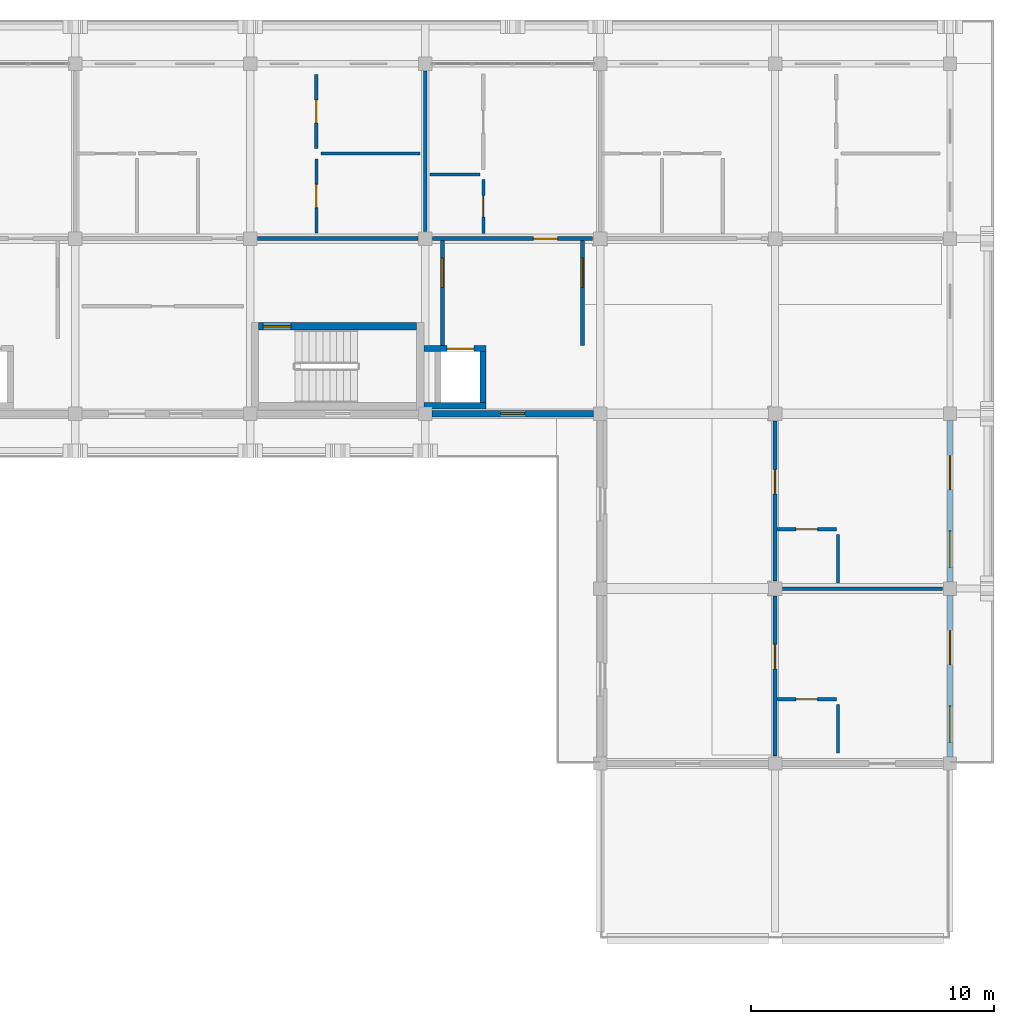
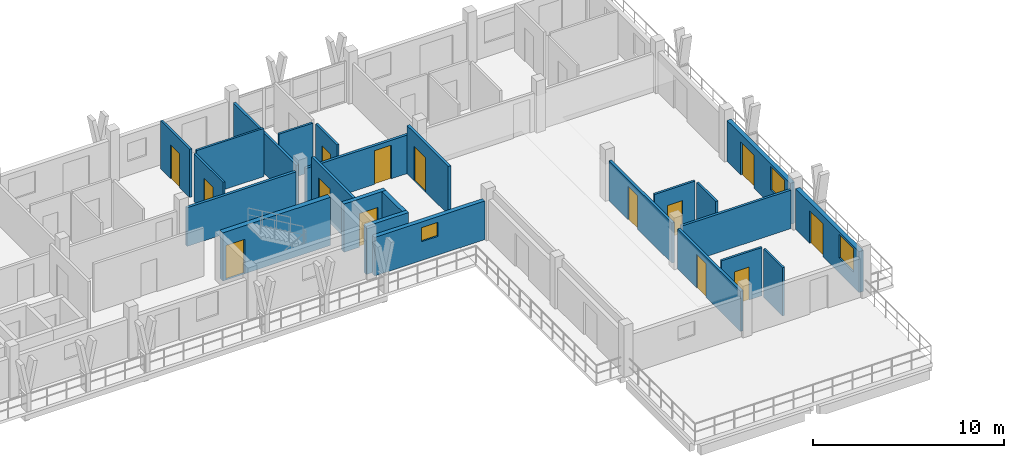
# One storey, part 46 of 60: 24 walls, 14 doors, 3 windows, 17 openings.
"""IFC4 building model written with IfcOpenShell, lengths in metres."""

from ifc_helpers import new_model, si_unit, direction, frame, frame_2d, origin, place, context, subcontext, project, spatial, rectangle, extrude, material, layer, layer_set, type_object, element, fill, save


model = new_model("IFC4")

# Units and contexts
model_context = context("Model", 3, precision=1e-05, world=origin(), true_north=direction((0.0, 1.0)))
body_context = subcontext(model_context, "Body", "Model", "MODEL_VIEW")
ifc_project = project(units=[si_unit("LENGTHUNIT", "METRE"), si_unit("AREAUNIT", "SQUARE_METRE"), si_unit("VOLUMEUNIT", "CUBIC_METRE"), si_unit("PLANEANGLEUNIT", "RADIAN"), si_unit("MASSUNIT", "GRAM", prefix="KILO")], contexts=[model_context])

# Site, building, storey
site_placement = place(None, origin())
site = spatial("IfcSite", under=ifc_project, at=site_placement, CompositionType="ELEMENT")
building_placement = place(site_placement, origin())
building = spatial("IfcBuilding", under=site, at=building_placement, Name="Suanplinth Sawtooth Commons", CompositionType="ELEMENT")
storey_placement = place(building_placement, frame((0.0, 0.0, 31.5)))
storey = spatial("IfcBuildingStorey", under=building, at=storey_placement, Name="L09", CompositionType="ELEMENT", Elevation=31.5)

# Wall, opening, door
ifc_material_1 = material(Name="Concrete C40/50", Category="concrete")
ifc_layer_1 = layer(ifc_material_1, 0.300048828125, Name="Standard RC stair and lift core wall 300mm")
ifc_layer_set_1 = layer_set([ifc_layer_1], Name="Concrete C40/50")
wall_type_1 = type_object("IfcWallType", Name="W-CR02", PredefinedType="SHEAR", material=ifc_layer_set_1)
wall_1_placement = place(storey_placement, frame((158.75, 111.60009765625, 0.0), z_axis=(0.0, 0.0, 1.0), x_axis=(1.0, 0.0, 0.0)))
wall_1 = element("IfcWall", 1, at=wall_1_placement, inside=storey, type_object=wall_type_1, Name="W-L09-C-B2-STN", PredefinedType="SHEAR", context=body_context, shape_type="SweptSolid", body=[
    extrude(rectangle(XDim=6.5, YDim=0.300048828125, at=frame_2d((3.25, 0.0))), origin(), (0.0, 0.0, 1.0), 3.080078125),
])
opening_1_placement = place(wall_1_placement, frame((0.179931640625, 0.0, 0.0)))
opening_1 = element("IfcOpeningElement", 2, at=opening_1_placement, cuts=wall_1, Name="Opening FD0260", PredefinedType="OPENING", context=body_context, shape_type="SweptSolid", body=[
    extrude(rectangle(XDim=1.14990234375, YDim=2.199951171875, at=frame_2d((0.574951171875, 1.10009765625))), frame((0.0, 0.1650390625, 0.0), z_axis=(0.0, -1.0, 0.0), x_axis=(1.0, 0.0, 0.0)), (0.0, 0.0, 1.0), 0.329833984375),
])
ifc_material_2 = material(Name="Teak hardwood fire-rated door assembly", Category="wood")
door_type_1 = type_object("IfcDoorType", Name="FD-01", OperationType="NOTDEFINED", PredefinedType="DOOR", material=ifc_material_2)
door_1_placement = place(opening_1_placement, frame((1.14990234375, 0.0, 0.0), z_axis=(0.0, 0.0, 1.0), x_axis=(-1.0, 0.0, 0.0)))
door_1 = element("IfcDoor", 3, at=door_1_placement, inside=storey, type_object=door_type_1, Name="Exit Stair Fire Door FD0260", OperationType="SINGLE_SWING_LEFT", OverallHeight=2.199951171875, OverallWidth=1.14990234375, PredefinedType="DOOR", context=body_context, shape_type="SweptSolid", body=[
    extrude(rectangle(XDim=1.14990234375, YDim=2.199951171875, at=frame_2d((0.574951171875, 1.10009765625))), frame((0.0, 0.02490234375, 0.0), z_axis=(0.0, -1.0, 0.0), x_axis=(1.0, 0.0, 0.0)), (0.0, 0.0, 1.0), 0.050048828125),
])
fill(opening_1, door_1)

# Wall, opening, window
ifc_material_3 = material(Name="Precast concrete C40/50", Category="concrete")
ifc_layer_2 = layer(ifc_material_3, 0.260009765625, Name="Insulated precast courtyard facade wall 260mm")
ifc_layer_set_2 = layer_set([ifc_layer_2], Name="Precast concrete C40/50")
wall_type_2 = type_object("IfcWallType", Name="W-EX02", PredefinedType="ELEMENTEDWALL", material=ifc_layer_set_2)
wall_2_placement = place(storey_placement, frame((165.875, 108.0, 0.0), z_axis=(0.0, 0.0, 1.0), x_axis=(1.0, 0.0, 0.0)))
wall_2 = element("IfcWall", 4, at=wall_2_placement, inside=storey, type_object=wall_type_2, Name="Facade Wall W-L09-B-S-23-15", PredefinedType="ELEMENTEDWALL", context=body_context, shape_type="SweptSolid", body=[
    extrude(rectangle(XDim=6.64990234375, YDim=0.260009765625, at=frame_2d((3.324951171875, 0.0))), origin(), (0.0, 0.0, 1.0), 2.465087890625),
])
opening_2_placement = place(wall_2_placement, frame((2.824951171875, 0.0, 1.199951171875)))
opening_2 = element("IfcOpeningElement", 5, at=opening_2_placement, cuts=wall_2, Name="Opening W0794", PredefinedType="OPENING", context=body_context, shape_type="SweptSolid", body=[
    extrude(rectangle(XDim=1.0, YDim=0.89990234375, at=frame_2d((0.5, 0.449951171875))), frame((0.0, 0.14501953125, 0.0), z_axis=(0.0, -1.0, 0.0), x_axis=(1.0, 0.0, 0.0)), (0.0, 0.0, 1.0), 0.289794921875),
])
ifc_material_4 = material(Name="Thermally broken aluminium and low-E double glazing", Category="aluminium")
window_type_1 = type_object("IfcWindowType", Name="WN-12", PartitioningType="SINGLE_PANEL", PredefinedType="WINDOW", material=ifc_material_4)
window_1_placement = place(opening_2_placement, origin())
window_1 = element("IfcWindow", 6, at=window_1_placement, inside=storey, type_object=window_type_1, Name="Core Daylight Window L09-B-23-15", OverallHeight=0.89990234375, OverallWidth=1.0, PartitioningType="SINGLE_PANEL", PredefinedType="WINDOW", context=body_context, shape_type="SweptSolid", body=[
    extrude(rectangle(XDim=1.0, YDim=0.89990234375, at=frame_2d((0.5, 0.449951171875))), frame((0.0, 0.030029296875, 0.0), z_axis=(0.0, -1.0, 0.0), x_axis=(1.0, 0.0, 0.0)), (0.0, 0.0, 1.0), 0.06005859375),
])
fill(opening_2, window_1)

# Wall, openings, door, window
wall_3_placement = place(storey_placement, frame((187.199951171875, 93.875, 0.0), z_axis=(0.0, 0.0, 1.0), x_axis=(0.0, 1.0, 0.0)))
wall_3 = element("IfcWall", 7, at=wall_3_placement, inside=storey, type_object=wall_type_2, Name="Facade Wall W-L09-B-E-25-13", PredefinedType="ELEMENTEDWALL", context=body_context, shape_type="SweptSolid", body=[
    extrude(rectangle(XDim=6.64990234375, YDim=0.260009765625, at=frame_2d((3.324951171875, 0.0))), origin(), (0.0, 0.0, 1.0), 2.614990234375),
])
opening_3_placement = place(wall_3_placement, frame((3.800048828125, 0.0, 0.0)))
opening_3 = element("IfcOpeningElement", 8, at=opening_3_placement, cuts=wall_3, Name="Opening ED0716", PredefinedType="OPENING", context=body_context, shape_type="SweptSolid", body=[
    extrude(rectangle(XDim=1.39990234375, YDim=2.10009765625, at=frame_2d((0.699951171875, 1.050048828125))), frame((0.0, 0.14501953125, 0.0), z_axis=(0.0, -1.0, 0.0), x_axis=(1.0, 0.0, 0.0)), (0.0, 0.0, 1.0), 0.289794921875),
])
opening_4_placement = place(wall_3_placement, frame((0.60009765625, 0.0, 0.949951171875)))
opening_4 = element("IfcOpeningElement", 9, at=opening_4_placement, cuts=wall_3, Name="Opening W0797", PredefinedType="OPENING", context=body_context, shape_type="SweptSolid", body=[
    extrude(rectangle(XDim=1.5, YDim=1.5, at=frame_2d((0.75, 0.75))), frame((0.0, 0.14501953125, 0.0), z_axis=(0.0, -1.0, 0.0), x_axis=(1.0, 0.0, 0.0)), (0.0, 0.0, 1.0), 0.289794921875),
])
ifc_material_5 = material(Name="Anodized aluminium and low-E glass", Category="aluminium")
door_type_2 = type_object("IfcDoorType", Name="SD-07", OperationType="SLIDING_TO_RIGHT", PredefinedType="DOOR", material=ifc_material_5)
door_2_placement = place(opening_3_placement, frame((1.39990234375, 0.0, 0.0), z_axis=(0.0, 0.0, 1.0), x_axis=(-1.0, 0.0, 0.0)))
door_2 = element("IfcDoor", 10, at=door_2_placement, inside=storey, type_object=door_type_2, Name="Wing Balcony Sliding Door L09-B-13", OperationType="SLIDING_TO_RIGHT", OverallHeight=2.10009765625, OverallWidth=1.39990234375, PredefinedType="DOOR", context=body_context, shape_type="SweptSolid", body=[
    extrude(rectangle(XDim=1.39990234375, YDim=2.10009765625, at=frame_2d((0.699951171875, 1.050048828125))), frame((0.0, 0.02490234375, 0.0), z_axis=(0.0, -1.0, 0.0), x_axis=(1.0, 0.0, 0.0)), (0.0, 0.0, 1.0), 0.050048828125),
])
fill(opening_3, door_2)
window_type_2 = type_object("IfcWindowType", Name="WN-02", PartitioningType="DOUBLE_PANEL_VERTICAL", PredefinedType="WINDOW", material=ifc_material_4)
window_2_placement = place(opening_4_placement, origin())
window_2 = element("IfcWindow", 11, at=window_2_placement, inside=storey, type_object=window_type_2, Name="Wing Window L09-B-13", OverallHeight=1.5, OverallWidth=1.5, PartitioningType="DOUBLE_PANEL_VERTICAL", PredefinedType="WINDOW", context=body_context, shape_type="SweptSolid", body=[
    extrude(rectangle(XDim=1.5, YDim=1.5, at=frame_2d((0.75, 0.75))), frame((0.0, 0.030029296875, 0.0), z_axis=(0.0, -1.0, 0.0), x_axis=(1.0, 0.0, 0.0)), (0.0, 0.0, 1.0), 0.06005859375),
])
fill(opening_4, window_2)

wall_4_placement = place(storey_placement, frame((187.199951171875, 101.074951171875, 0.0), z_axis=(0.0, 0.0, 1.0), x_axis=(0.0, 1.0, 0.0)))
wall_4 = element("IfcWall", 12, at=wall_4_placement, inside=storey, type_object=wall_type_2, Name="Facade Wall W-L09-B-E-25-14", PredefinedType="ELEMENTEDWALL", context=body_context, shape_type="SweptSolid", body=[
    extrude(rectangle(XDim=6.650146484375, YDim=0.260009765625, at=frame_2d((3.3251953125, 0.0))), origin(), (0.0, 0.0, 1.0), 2.614990234375),
])
opening_5_placement = place(wall_4_placement, frame((3.800048828125, 0.0, 0.0)))
opening_5 = element("IfcOpeningElement", 13, at=opening_5_placement, cuts=wall_4, Name="Opening ED0717", PredefinedType="OPENING", context=body_context, shape_type="SweptSolid", body=[
    extrude(rectangle(XDim=1.39990234375, YDim=2.10009765625, at=frame_2d((0.699951171875, 1.050048828125))), frame((0.0, 0.14501953125, 0.0), z_axis=(0.0, -1.0, 0.0), x_axis=(1.0, 0.0, 0.0)), (0.0, 0.0, 1.0), 0.289794921875),
])
opening_6_placement = place(wall_4_placement, frame((0.60009765625, 0.0, 0.949951171875)))
opening_6 = element("IfcOpeningElement", 14, at=opening_6_placement, cuts=wall_4, Name="Opening W0798", PredefinedType="OPENING", context=body_context, shape_type="SweptSolid", body=[
    extrude(rectangle(XDim=1.5, YDim=1.5, at=frame_2d((0.75, 0.75))), frame((0.0, 0.14501953125, 0.0), z_axis=(0.0, -1.0, 0.0), x_axis=(1.0, 0.0, 0.0)), (0.0, 0.0, 1.0), 0.289794921875),
])
door_3_placement = place(opening_5_placement, frame((1.39990234375, 0.0, 0.0), z_axis=(0.0, 0.0, 1.0), x_axis=(-1.0, 0.0, 0.0)))
door_3 = element("IfcDoor", 15, at=door_3_placement, inside=storey, type_object=door_type_2, Name="Wing Balcony Sliding Door L09-B-14", OperationType="SLIDING_TO_RIGHT", OverallHeight=2.10009765625, OverallWidth=1.39990234375, PredefinedType="DOOR", context=body_context, shape_type="SweptSolid", body=[
    extrude(rectangle(XDim=1.39990234375, YDim=2.10009765625, at=frame_2d((0.699951171875, 1.050048828125))), frame((0.0, 0.02490234375, 0.0), z_axis=(0.0, -1.0, 0.0), x_axis=(1.0, 0.0, 0.0)), (0.0, 0.0, 1.0), 0.050048828125),
])
fill(opening_5, door_3)
window_3_placement = place(opening_6_placement, origin())
window_3 = element("IfcWindow", 16, at=window_3_placement, inside=storey, type_object=window_type_2, Name="Wing Window L09-B-14", OverallHeight=1.5, OverallWidth=1.5, PartitioningType="DOUBLE_PANEL_VERTICAL", PredefinedType="WINDOW", context=body_context, shape_type="SweptSolid", body=[
    extrude(rectangle(XDim=1.5, YDim=1.5, at=frame_2d((0.75, 0.75))), frame((0.0, 0.030029296875, 0.0), z_axis=(0.0, -1.0, 0.0), x_axis=(1.0, 0.0, 0.0)), (0.0, 0.0, 1.0), 0.06005859375),
])
fill(opening_6, window_3)

# Wall, opening, door
ifc_layer_3 = layer(ifc_material_3, 0.159912109375, Name="Fire-rated corridor and lobby wall 160mm")
ifc_layer_set_3 = layer_set([ifc_layer_3], Name="Precast concrete C40/50")
wall_type_3 = type_object("IfcWallType", Name="W-FW01", PredefinedType="PARTITIONING", material=ifc_layer_set_3)
wall_5_placement = place(storey_placement, frame((166.320068359375, 110.800048828125, 0.0), z_axis=(0.0, 0.0, 1.0), x_axis=(0.0, 1.0, 0.0)))
wall_5 = element("IfcWall", 17, at=wall_5_placement, inside=storey, type_object=wall_type_3, Name="W-L09-C-B2-LOB-W", PredefinedType="PARTITIONING", context=body_context, shape_type="SweptSolid", body=[
    extrude(rectangle(XDim=4.320068359375, YDim=0.159912109375, at=frame_2d((2.16015625, 0.0))), origin(), (0.0, 0.0, 1.0), 3.080078125),
])
opening_7_placement = place(wall_5_placement, frame((2.39990234375, 0.0, 0.0)))
opening_7 = element("IfcOpeningElement", 18, at=opening_7_placement, cuts=wall_5, Name="Opening FD0261", PredefinedType="OPENING", context=body_context, shape_type="SweptSolid", body=[
    extrude(rectangle(XDim=1.199951171875, YDim=2.199951171875, at=frame_2d((0.60009765625, 1.10009765625))), frame((0.0, 0.0947265625, 0.0), z_axis=(0.0, -1.0, 0.0), x_axis=(1.0, 0.0, 0.0)), (0.0, 0.0, 1.0), 0.189697265625),
])
door_type_3 = type_object("IfcDoorType", Name="FD-02", OperationType="NOTDEFINED", PredefinedType="DOOR", material=ifc_material_2)
door_4_placement = place(opening_7_placement, origin())
door_4 = element("IfcDoor", 19, at=door_4_placement, inside=storey, type_object=door_type_3, Name="Lobby Fire Door FD0261", OperationType="SINGLE_SWING_RIGHT", OverallHeight=2.199951171875, OverallWidth=1.199951171875, PredefinedType="DOOR", context=body_context, shape_type="SweptSolid", body=[
    extrude(rectangle(XDim=1.199951171875, YDim=2.199951171875, at=frame_2d((0.60009765625, 1.10009765625))), frame((0.0, 0.02490234375, 0.0), z_axis=(0.0, -1.0, 0.0), x_axis=(1.0, 0.0, 0.0)), (0.0, 0.0, 1.0), 0.050048828125),
])
fill(opening_7, door_4)

wall_6_placement = place(storey_placement, frame((172.080078125, 110.800048828125, 0.0), z_axis=(0.0, 0.0, 1.0), x_axis=(0.0, 1.0, 0.0)))
wall_6 = element("IfcWall", 20, at=wall_6_placement, inside=storey, type_object=wall_type_3, Name="W-L09-C-B2-LOB-E", PredefinedType="PARTITIONING", context=body_context, shape_type="SweptSolid", body=[
    extrude(rectangle(XDim=4.320068359375, YDim=0.159912109375, at=frame_2d((2.16015625, 0.0))), origin(), (0.0, 0.0, 1.0), 3.080078125),
])
opening_8_placement = place(wall_6_placement, frame((2.39990234375, 0.0, 0.0)))
opening_8 = element("IfcOpeningElement", 21, at=opening_8_placement, cuts=wall_6, Name="Opening FD0262", PredefinedType="OPENING", context=body_context, shape_type="SweptSolid", body=[
    extrude(rectangle(XDim=1.199951171875, YDim=2.199951171875, at=frame_2d((0.60009765625, 1.10009765625))), frame((0.0, 0.0947265625, 0.0), z_axis=(0.0, -1.0, 0.0), x_axis=(1.0, 0.0, 0.0)), (0.0, 0.0, 1.0), 0.189697265625),
])
door_5_placement = place(opening_8_placement, frame((1.199951171875, 0.0, 0.0), z_axis=(0.0, 0.0, 1.0), x_axis=(-1.0, 0.0, 0.0)))
door_5 = element("IfcDoor", 22, at=door_5_placement, inside=storey, type_object=door_type_3, Name="Lobby Fire Door FD0262", OperationType="SINGLE_SWING_LEFT", OverallHeight=2.199951171875, OverallWidth=1.199951171875, PredefinedType="DOOR", context=body_context, shape_type="SweptSolid", body=[
    extrude(rectangle(XDim=1.199951171875, YDim=2.199951171875, at=frame_2d((0.60009765625, 1.10009765625))), frame((0.0, 0.02490234375, 0.0), z_axis=(0.0, -1.0, 0.0), x_axis=(1.0, 0.0, 0.0)), (0.0, 0.0, 1.0), 0.050048828125),
])
fill(opening_8, door_5)

# Wall
wall_7_placement = place(storey_placement, frame((158.705078125, 115.199951171875, 0.0), z_axis=(0.0, 0.0, 1.0), x_axis=(1.0, 0.0, 0.0)))
element("IfcWall", 23, at=wall_7_placement, inside=storey, type_object=wall_type_3, Name="W-B-L09-U03-COR-S2", PredefinedType="PARTITIONING", context=body_context, shape_type="SweptSolid", body=[
    extrude(rectangle(XDim=6.58984375, YDim=0.159912109375, at=frame_2d((3.294921875, 0.0))), origin(), (0.0, 0.0, 1.0), 2.465087890625),
])

# Wall, opening, door
wall_8_placement = place(storey_placement, frame((165.905029296875, 115.199951171875, 0.0), z_axis=(0.0, 0.0, 1.0), x_axis=(1.0, 0.0, 0.0)))
wall_8 = element("IfcWall", 24, at=wall_8_placement, inside=storey, type_object=wall_type_3, Name="W-B-L09-U04-COR", PredefinedType="PARTITIONING", context=body_context, shape_type="SweptSolid", body=[
    extrude(rectangle(XDim=6.590087890625, YDim=0.159912109375, at=frame_2d((3.294921875, 0.0))), origin(), (0.0, 0.0, 1.0), 2.465087890625),
])
opening_9_placement = place(wall_8_placement, frame((4.14501953125, 0.0, 0.0)))
opening_9 = element("IfcOpeningElement", 25, at=opening_9_placement, cuts=wall_8, Name="Opening FD1805", PredefinedType="OPENING", context=body_context, shape_type="SweptSolid", body=[
    extrude(rectangle(XDim=1.0, YDim=2.14990234375, at=frame_2d((0.5, 1.074951171875))), frame((0.0, 0.0947265625, 0.0), z_axis=(0.0, -1.0, 0.0), x_axis=(1.0, 0.0, 0.0)), (0.0, 0.0, 1.0), 0.189697265625),
])
door_type_4 = type_object("IfcDoorType", Name="FD-03", OperationType="NOTDEFINED", PredefinedType="DOOR", material=ifc_material_2)
door_6_placement = place(opening_9_placement, origin())
door_6 = element("IfcDoor", 26, at=door_6_placement, inside=storey, type_object=door_type_4, Name="Unit Entrance Door FD1805", OperationType="SINGLE_SWING_LEFT", OverallHeight=2.14990234375, OverallWidth=1.0, PredefinedType="DOOR", context=body_context, shape_type="SweptSolid", body=[
    extrude(rectangle(XDim=1.0, YDim=2.14990234375, at=frame_2d((0.5, 1.074951171875))), frame((0.0, 0.02490234375, 0.0), z_axis=(0.0, -1.0, 0.0), x_axis=(1.0, 0.0, 0.0)), (0.0, 0.0, 1.0), 0.050048828125),
])
fill(opening_9, door_6)

wall_9_placement = place(storey_placement, frame((180.0, 93.905029296875, 0.0), z_axis=(0.0, 0.0, 1.0), x_axis=(0.0, 1.0, 0.0)))
wall_9 = element("IfcWall", 27, at=wall_9_placement, inside=storey, type_object=wall_type_3, Name="W-B-L09-L01-COR", PredefinedType="PARTITIONING", context=body_context, shape_type="SweptSolid", body=[
    extrude(rectangle(XDim=6.590087890625, YDim=0.159912109375, at=frame_2d((3.294921875, 0.0))), origin(), (0.0, 0.0, 1.0), 2.56494140625),
])
opening_10_placement = place(wall_9_placement, frame((3.594970703125, 0.0, 0.0)))
opening_10 = element("IfcOpeningElement", 28, at=opening_10_placement, cuts=wall_9, Name="Opening FD1814", PredefinedType="OPENING", context=body_context, shape_type="SweptSolid", body=[
    extrude(rectangle(XDim=1.0, YDim=2.14990234375, at=frame_2d((0.5, 1.074951171875))), frame((0.0, 0.0947265625, 0.0), z_axis=(0.0, -1.0, 0.0), x_axis=(1.0, 0.0, 0.0)), (0.0, 0.0, 1.0), 0.189697265625),
])
door_7_placement = place(opening_10_placement, frame((1.0, 0.0, 0.0), z_axis=(0.0, 0.0, 1.0), x_axis=(-1.0, 0.0, 0.0)))
door_7 = element("IfcDoor", 29, at=door_7_placement, inside=storey, type_object=door_type_4, Name="Wing Unit Entrance Door FD1814", OperationType="SINGLE_SWING_RIGHT", OverallHeight=2.14990234375, OverallWidth=1.0, PredefinedType="DOOR", context=body_context, shape_type="SweptSolid", body=[
    extrude(rectangle(XDim=1.0, YDim=2.14990234375, at=frame_2d((0.5, 1.074951171875))), frame((0.0, 0.02490234375, 0.0), z_axis=(0.0, -1.0, 0.0), x_axis=(1.0, 0.0, 0.0)), (0.0, 0.0, 1.0), 0.050048828125),
])
fill(opening_10, door_7)

wall_10_placement = place(storey_placement, frame((180.0, 101.10498046875, 0.0), z_axis=(0.0, 0.0, 1.0), x_axis=(0.0, 1.0, 0.0)))
wall_10 = element("IfcWall", 30, at=wall_10_placement, inside=storey, type_object=wall_type_3, Name="W-B-L09-L02-COR", PredefinedType="PARTITIONING", context=body_context, shape_type="SweptSolid", body=[
    extrude(rectangle(XDim=6.590087890625, YDim=0.159912109375, at=frame_2d((3.294921875, 0.0))), origin(), (0.0, 0.0, 1.0), 2.56494140625),
])
opening_11_placement = place(wall_10_placement, frame((3.594970703125, 0.0, 0.0)))
opening_11 = element("IfcOpeningElement", 31, at=opening_11_placement, cuts=wall_10, Name="Opening FD1817", PredefinedType="OPENING", context=body_context, shape_type="SweptSolid", body=[
    extrude(rectangle(XDim=1.0, YDim=2.14990234375, at=frame_2d((0.5, 1.074951171875))), frame((0.0, 0.0947265625, 0.0), z_axis=(0.0, -1.0, 0.0), x_axis=(1.0, 0.0, 0.0)), (0.0, 0.0, 1.0), 0.189697265625),
])
door_8_placement = place(opening_11_placement, frame((1.0, 0.0, 0.0), z_axis=(0.0, 0.0, 1.0), x_axis=(-1.0, 0.0, 0.0)))
door_8 = element("IfcDoor", 32, at=door_8_placement, inside=storey, type_object=door_type_4, Name="Wing Unit Entrance Door FD1817", OperationType="SINGLE_SWING_LEFT", OverallHeight=2.14990234375, OverallWidth=1.0, PredefinedType="DOOR", context=body_context, shape_type="SweptSolid", body=[
    extrude(rectangle(XDim=1.0, YDim=2.14990234375, at=frame_2d((0.5, 1.074951171875))), frame((0.0, 0.02490234375, 0.0), z_axis=(0.0, -1.0, 0.0), x_axis=(1.0, 0.0, 0.0)), (0.0, 0.0, 1.0), 0.050048828125),
])
fill(opening_11, door_8)

# Walls
ifc_layer_4 = layer(ifc_material_3, 0.14990234375, Name="Acoustic precast party demising wall 150mm")
ifc_layer_set_4 = layer_set([ifc_layer_4], Name="Precast concrete C40/50")
wall_type_4 = type_object("IfcWallType", Name="W-FW02", PredefinedType="PARTITIONING", material=ifc_layer_set_4)
wall_11_placement = place(storey_placement, frame((165.60009765625, 115.5048828125, 0.0), z_axis=(0.0, 0.0, 1.0), x_axis=(0.0, 1.0, 0.0)))
element("IfcWall", 33, at=wall_11_placement, inside=storey, type_object=wall_type_4, Name="W-B-L09-U03-PTY", PredefinedType="PARTITIONING", context=body_context, shape_type="SweptSolid", body=[
    extrude(rectangle(XDim=6.590087890625, YDim=0.14990234375, at=frame_2d((3.294921875, 0.0))), origin(), (0.0, 0.0, 1.0), 2.56494140625),
])
wall_12_placement = place(storey_placement, frame((180.304931640625, 100.800048828125, 0.0), z_axis=(0.0, 0.0, 1.0), x_axis=(1.0, 0.0, 0.0)))
element("IfcWall", 34, at=wall_12_placement, inside=storey, type_object=wall_type_4, Name="W-B-L09-L01-PTY", PredefinedType="PARTITIONING", context=body_context, shape_type="SweptSolid", body=[
    extrude(rectangle(XDim=6.590087890625, YDim=0.14990234375, at=frame_2d((3.294921875, 0.0))), origin(), (0.0, 0.0, 1.0), 2.465087890625),
])
ifc_material_6 = material(Name="Gypsum plasterboard on steel stud", Category="steel")
ifc_layer_5 = layer(ifc_material_6, 0.1298828125, Name="Moisture-resistant bathroom partition 130mm")
ifc_layer_set_5 = layer_set([ifc_layer_5], Name="Gypsum plasterboard on steel stud")
wall_type_5 = type_object("IfcWallType", Name="W-PT02", PredefinedType="PARTITIONING", material=ifc_layer_set_5)
wall_13_placement = place(storey_placement, frame((165.800048828125, 117.840087890625, 0.0), z_axis=(0.0, 0.0, 1.0), x_axis=(1.0, 0.0, 0.0)))
element("IfcWall", 35, at=wall_13_placement, inside=storey, type_object=wall_type_5, Name="W-B-L09-U04-STDIV", PredefinedType="PARTITIONING", context=body_context, shape_type="SweptSolid", body=[
    extrude(rectangle(XDim=2.050048828125, YDim=0.1298828125, at=frame_2d((1.02490234375, 0.0))), origin(), (0.0, 0.0, 1.0), 3.080078125),
])

# Wall, opening, door
wall_14_placement = place(storey_placement, frame((167.9951171875, 115.419921875, 0.0), z_axis=(0.0, 0.0, 1.0), x_axis=(0.0, 1.0, 0.0)))
wall_14 = element("IfcWall", 36, at=wall_14_placement, inside=storey, type_object=wall_type_5, Name="W-B-L09-U04-BTHE", PredefinedType="PARTITIONING", context=body_context, shape_type="SweptSolid", body=[
    extrude(rectangle(XDim=2.219970703125, YDim=0.1298828125, at=frame_2d((1.10986328125, 0.0))), origin(), (0.0, 0.0, 1.0), 3.080078125),
])
opening_12_placement = place(wall_14_placement, frame((0.669921875, 0.0, 0.0)))
opening_12 = element("IfcOpeningElement", 37, at=opening_12_placement, cuts=wall_14, Name="Opening D1806", PredefinedType="OPENING", context=body_context, shape_type="SweptSolid", body=[
    extrude(rectangle(XDim=0.8798828125, YDim=2.10009765625, at=frame_2d((0.43994140625, 1.050048828125))), frame((0.0, 0.079833984375, 0.0), z_axis=(0.0, -1.0, 0.0), x_axis=(1.0, 0.0, 0.0)), (0.0, 0.0, 1.0), 0.15966796875),
])
ifc_material_7 = material(Name="Teak hardwood", Category="wood")
door_type_5 = type_object("IfcDoorType", Name="D-14", OperationType="NOTDEFINED", PredefinedType="DOOR", material=ifc_material_7)
door_9_placement = place(opening_12_placement, origin())
door_9 = element("IfcDoor", 38, at=door_9_placement, inside=storey, type_object=door_type_5, Name="Bathroom Door D1806", OperationType="SINGLE_SWING_RIGHT", OverallHeight=2.10009765625, OverallWidth=0.8798828125, PredefinedType="DOOR", context=body_context, shape_type="SweptSolid", body=[
    extrude(rectangle(XDim=0.8798828125, YDim=2.10009765625, at=frame_2d((0.43994140625, 1.050048828125))), frame((0.0, 0.02490234375, 0.0), z_axis=(0.0, -1.0, 0.0), x_axis=(1.0, 0.0, 0.0)), (0.0, 0.0, 1.0), 0.050048828125),
])
fill(opening_12, door_9)

wall_15_placement = place(storey_placement, frame((180.080078125, 96.2451171875, 0.0), z_axis=(0.0, 0.0, 1.0), x_axis=(1.0, 0.0, 0.0)))
wall_15 = element("IfcWall", 39, at=wall_15_placement, inside=storey, type_object=wall_type_5, Name="W-B-L09-L01-BTH1", PredefinedType="PARTITIONING", context=body_context, shape_type="SweptSolid", body=[
    extrude(rectangle(XDim=2.449951171875, YDim=0.1298828125, at=frame_2d((1.22509765625, 0.0))), origin(), (0.0, 0.0, 1.0), 3.080078125),
])
opening_13_placement = place(wall_15_placement, frame((0.77490234375, 0.0, 0.0)))
opening_13 = element("IfcOpeningElement", 40, at=opening_13_placement, cuts=wall_15, Name="Opening D1815", PredefinedType="OPENING", context=body_context, shape_type="SweptSolid", body=[
    extrude(rectangle(XDim=0.89990234375, YDim=2.10009765625, at=frame_2d((0.449951171875, 1.050048828125))), frame((0.0, 0.079833984375, 0.0), z_axis=(0.0, -1.0, 0.0), x_axis=(1.0, 0.0, 0.0)), (0.0, 0.0, 1.0), 0.15966796875),
])
door_type_6 = type_object("IfcDoorType", Name="D-01", OperationType="NOTDEFINED", PredefinedType="DOOR", material=ifc_material_7)
door_10_placement = place(opening_13_placement, frame((0.89990234375, 0.0, 0.0), z_axis=(0.0, 0.0, 1.0), x_axis=(-1.0, 0.0, 0.0)))
door_10 = element("IfcDoor", 41, at=door_10_placement, inside=storey, type_object=door_type_6, Name="Bathroom Door D1815", OperationType="SINGLE_SWING_LEFT", OverallHeight=2.10009765625, OverallWidth=0.89990234375, PredefinedType="DOOR", context=body_context, shape_type="SweptSolid", body=[
    extrude(rectangle(XDim=0.89990234375, YDim=2.10009765625, at=frame_2d((0.449951171875, 1.050048828125))), frame((0.0, 0.02490234375, 0.0), z_axis=(0.0, -1.0, 0.0), x_axis=(1.0, 0.0, 0.0)), (0.0, 0.0, 1.0), 0.050048828125),
])
fill(opening_13, door_10)

# Wall
wall_16_placement = place(storey_placement, frame((182.594970703125, 94.030029296875, 0.0), z_axis=(0.0, 0.0, 1.0), x_axis=(0.0, 1.0, 0.0)))
element("IfcWall", 42, at=wall_16_placement, inside=storey, type_object=wall_type_5, Name="W-B-L09-L01-BTH2", PredefinedType="PARTITIONING", context=body_context, shape_type="SweptSolid", body=[
    extrude(rectangle(XDim=2.0, YDim=0.1298828125, at=frame_2d((1.0, 0.0))), origin(), (0.0, 0.0, 1.0), 3.080078125),
])

# Wall, opening, door
wall_17_placement = place(storey_placement, frame((180.080078125, 103.2451171875, 0.0), z_axis=(0.0, 0.0, 1.0), x_axis=(1.0, 0.0, 0.0)))
wall_17 = element("IfcWall", 43, at=wall_17_placement, inside=storey, type_object=wall_type_5, Name="W-B-L09-L02-BTH1", PredefinedType="PARTITIONING", context=body_context, shape_type="SweptSolid", body=[
    extrude(rectangle(XDim=2.449951171875, YDim=0.1298828125, at=frame_2d((1.22509765625, 0.0))), origin(), (0.0, 0.0, 1.0), 3.080078125),
])
opening_14_placement = place(wall_17_placement, frame((0.77490234375, 0.0, 0.0)))
opening_14 = element("IfcOpeningElement", 44, at=opening_14_placement, cuts=wall_17, Name="Opening D1818", PredefinedType="OPENING", context=body_context, shape_type="SweptSolid", body=[
    extrude(rectangle(XDim=0.89990234375, YDim=2.10009765625, at=frame_2d((0.449951171875, 1.050048828125))), frame((0.0, 0.079833984375, 0.0), z_axis=(0.0, -1.0, 0.0), x_axis=(1.0, 0.0, 0.0)), (0.0, 0.0, 1.0), 0.15966796875),
])
door_11_placement = place(opening_14_placement, frame((0.89990234375, 0.0, 0.0), z_axis=(0.0, 0.0, 1.0), x_axis=(-1.0, 0.0, 0.0)))
door_11 = element("IfcDoor", 45, at=door_11_placement, inside=storey, type_object=door_type_6, Name="Bathroom Door D1818", OperationType="SINGLE_SWING_RIGHT", OverallHeight=2.10009765625, OverallWidth=0.89990234375, PredefinedType="DOOR", context=body_context, shape_type="SweptSolid", body=[
    extrude(rectangle(XDim=0.89990234375, YDim=2.10009765625, at=frame_2d((0.449951171875, 1.050048828125))), frame((0.0, 0.02490234375, 0.0), z_axis=(0.0, -1.0, 0.0), x_axis=(1.0, 0.0, 0.0)), (0.0, 0.0, 1.0), 0.050048828125),
])
fill(opening_14, door_11)

# Wall
wall_18_placement = place(storey_placement, frame((182.594970703125, 101.030029296875, 0.0), z_axis=(0.0, 0.0, 1.0), x_axis=(0.0, 1.0, 0.0)))
element("IfcWall", 46, at=wall_18_placement, inside=storey, type_object=wall_type_5, Name="W-B-L09-L02-BTH2", PredefinedType="PARTITIONING", context=body_context, shape_type="SweptSolid", body=[
    extrude(rectangle(XDim=2.0, YDim=0.1298828125, at=frame_2d((1.0, 0.0))), origin(), (0.0, 0.0, 1.0), 3.080078125),
])

# Wall, opening, door
ifc_layer_6 = layer(ifc_material_6, 0.1201171875, Name="Acoustic bedroom partition 120mm")
ifc_layer_set_6 = layer_set([ifc_layer_6], Name="Gypsum plasterboard on steel stud")
wall_type_6 = type_object("IfcWallType", Name="W-PT03", PredefinedType="PARTITIONING", material=ifc_layer_set_6)
wall_19_placement = place(storey_placement, frame((161.1201171875, 115.43994140625, 0.0), z_axis=(0.0, 0.0, 1.0), x_axis=(0.0, 1.0, 0.0)))
wall_19 = element("IfcWall", 47, at=wall_19_placement, inside=storey, type_object=wall_type_6, Name="W-B-L09-U03-BED2", PredefinedType="PARTITIONING", context=body_context, shape_type="SweptSolid", body=[
    extrude(rectangle(XDim=3.0400390625, YDim=0.1201171875, at=frame_2d((1.52001953125, 0.0))), origin(), (0.0, 0.0, 1.0), 3.080078125),
])
opening_15_placement = place(wall_19_placement, frame((1.0400390625, 0.0, 0.0)))
opening_15 = element("IfcOpeningElement", 48, at=opening_15_placement, cuts=wall_19, Name="Opening D1804", PredefinedType="OPENING", context=body_context, shape_type="SweptSolid", body=[
    extrude(rectangle(XDim=0.9599609375, YDim=2.14990234375, at=frame_2d((0.47998046875, 1.074951171875))), frame((0.0, 0.074951171875, 0.0), z_axis=(0.0, -1.0, 0.0), x_axis=(1.0, 0.0, 0.0)), (0.0, 0.0, 1.0), 0.14990234375),
])
door_type_7 = type_object("IfcDoorType", Name="D-13", OperationType="NOTDEFINED", PredefinedType="DOOR", material=ifc_material_7)
door_12_placement = place(opening_15_placement, frame((0.9599609375, 0.0, 0.0), z_axis=(0.0, 0.0, 1.0), x_axis=(-1.0, 0.0, 0.0)))
door_12 = element("IfcDoor", 49, at=door_12_placement, inside=storey, type_object=door_type_7, Name="Second Bedroom Door D1804", OperationType="SINGLE_SWING_RIGHT", OverallHeight=2.14990234375, OverallWidth=0.9599609375, PredefinedType="DOOR", context=body_context, shape_type="SweptSolid", body=[
    extrude(rectangle(XDim=0.9599609375, YDim=2.14990234375, at=frame_2d((0.47998046875, 1.074951171875))), frame((0.0, 0.02490234375, 0.0), z_axis=(0.0, -1.0, 0.0), x_axis=(1.0, 0.0, 0.0)), (0.0, 0.0, 1.0), 0.050048828125),
])
fill(opening_15, door_12)

# Wall
ifc_layer_7 = layer(ifc_material_6, 0.125, Name="Acoustic study partition 125mm")
ifc_layer_set_7 = layer_set([ifc_layer_7], Name="Gypsum plasterboard on steel stud")
wall_type_7 = type_object("IfcWallType", Name="W-PT06", PredefinedType="PARTITIONING", material=ifc_layer_set_7)
wall_20_placement = place(storey_placement, frame((161.320068359375, 118.699951171875, 0.0), z_axis=(0.0, 0.0, 1.0), x_axis=(1.0, 0.0, 0.0)))
element("IfcWall", 50, at=wall_20_placement, inside=storey, type_object=wall_type_7, Name="W-B-L09-U03-BEDDIV", PredefinedType="PARTITIONING", context=body_context, shape_type="SweptSolid", body=[
    extrude(rectangle(XDim=4.059814453125, YDim=0.125, at=frame_2d((2.02978515625, 0.0))), origin(), (0.0, 0.0, 1.0), 3.080078125),
])

# Wall, opening, door
ifc_layer_8 = layer(ifc_material_6, 0.135009765625, Name="Insulated bedroom demising partition 135mm")
ifc_layer_set_8 = layer_set([ifc_layer_8], Name="Gypsum plasterboard on steel stud")
wall_type_8 = type_object("IfcWallType", Name="W-PT07", PredefinedType="PARTITIONING", material=ifc_layer_set_8)
wall_21_placement = place(storey_placement, frame((161.1201171875, 118.919921875, 0.0), z_axis=(0.0, 0.0, 1.0), x_axis=(0.0, 1.0, 0.0)))
wall_21 = element("IfcWall", 51, at=wall_21_placement, inside=storey, type_object=wall_type_8, Name="W-B-L09-U03-BED1", PredefinedType="PARTITIONING", context=body_context, shape_type="SweptSolid", body=[
    extrude(rectangle(XDim=3.0400390625, YDim=0.135009765625, at=frame_2d((1.52001953125, 0.0))), origin(), (0.0, 0.0, 1.0), 3.080078125),
])
opening_16_placement = place(wall_21_placement, frame((1.044921875, 0.0, 0.0)))
opening_16 = element("IfcOpeningElement", 52, at=opening_16_placement, cuts=wall_21, Name="Opening D1803", PredefinedType="OPENING", context=body_context, shape_type="SweptSolid", body=[
    extrude(rectangle(XDim=0.949951171875, YDim=2.14990234375, at=frame_2d((0.47509765625, 1.074951171875))), frame((0.0, 0.08251953125, 0.0), z_axis=(0.0, -1.0, 0.0), x_axis=(1.0, 0.0, 0.0)), (0.0, 0.0, 1.0), 0.164794921875),
])
door_type_8 = type_object("IfcDoorType", Name="D-03", OperationType="NOTDEFINED", PredefinedType="DOOR", material=ifc_material_7)
door_13_placement = place(opening_16_placement, frame((0.949951171875, 0.0, 0.0), z_axis=(0.0, 0.0, 1.0), x_axis=(-1.0, 0.0, 0.0)))
door_13 = element("IfcDoor", 53, at=door_13_placement, inside=storey, type_object=door_type_8, Name="Bedroom Door D1803", OperationType="SINGLE_SWING_LEFT", OverallHeight=2.14990234375, OverallWidth=0.949951171875, PredefinedType="DOOR", context=body_context, shape_type="SweptSolid", body=[
    extrude(rectangle(XDim=0.949951171875, YDim=2.14990234375, at=frame_2d((0.47509765625, 1.074951171875))), frame((0.0, 0.02490234375, 0.0), z_axis=(0.0, -1.0, 0.0), x_axis=(1.0, 0.0, 0.0)), (0.0, 0.0, 1.0), 0.050048828125),
])
fill(opening_16, door_13)

# Wall
ifc_layer_9 = layer(ifc_material_3, 0.25, Name="Precast structural shear wall 250mm")
ifc_layer_set_9 = layer_set([ifc_layer_9], Name="Precast concrete C40/50")
wall_type_9 = type_object("IfcWallType", Name="W-SH01", PredefinedType="SHEAR", material=ifc_layer_set_9)
wall_22_placement = place(storey_placement, frame((165.550048828125, 108.324951171875, 0.0), z_axis=(0.0, 0.0, 1.0), x_axis=(1.0, 0.0, 0.0)))
element("IfcWall", 54, at=wall_22_placement, inside=storey, type_object=wall_type_9, Name="W-L09-LF4-S", PredefinedType="SHEAR", context=body_context, shape_type="SweptSolid", body=[
    extrude(rectangle(XDim=2.550048828125, YDim=0.25, at=frame_2d((1.27490234375, 0.0))), origin(), (0.0, 0.0, 1.0), 3.080078125),
])

# Wall, opening, door
wall_23_placement = place(storey_placement, frame((165.550048828125, 110.675048828125, 0.0), z_axis=(0.0, 0.0, 1.0), x_axis=(1.0, 0.0, 0.0)))
wall_23 = element("IfcWall", 55, at=wall_23_placement, inside=storey, type_object=wall_type_9, Name="W-L09-LF4-N", PredefinedType="SHEAR", context=body_context, shape_type="SweptSolid", body=[
    extrude(rectangle(XDim=2.550048828125, YDim=0.25, at=frame_2d((1.27490234375, 0.0))), origin(), (0.0, 0.0, 1.0), 3.080078125),
])
opening_17_placement = place(wall_23_placement, frame((0.949951171875, 0.0, 0.0)))
opening_17 = element("IfcOpeningElement", 56, at=opening_17_placement, cuts=wall_23, Name="Opening LD0263", PredefinedType="OPENING", context=body_context, shape_type="SweptSolid", body=[
    extrude(rectangle(XDim=1.10009765625, YDim=2.14990234375, at=frame_2d((0.550048828125, 1.074951171875))), frame((0.0, 0.139892578125, 0.0), z_axis=(0.0, -1.0, 0.0), x_axis=(1.0, 0.0, 0.0)), (0.0, 0.0, 1.0), 0.27978515625),
])
ifc_material_8 = material(Name="Stainless steel Grade 304", Category="steel")
door_type_9 = type_object("IfcDoorType", Name="LD-01", OperationType="SLIDING_TO_LEFT", PredefinedType="DOOR", material=ifc_material_8)
door_14_placement = place(opening_17_placement, origin())
door_14 = element("IfcDoor", 57, at=door_14_placement, inside=storey, type_object=door_type_9, Name="Lift Landing Sliding Door LF4 L09", OperationType="SLIDING_TO_LEFT", OverallHeight=2.14990234375, OverallWidth=1.10009765625, PredefinedType="DOOR", context=body_context, shape_type="SweptSolid", body=[
    extrude(rectangle(XDim=1.10009765625, YDim=2.14990234375, at=frame_2d((0.550048828125, 1.074951171875))), frame((0.0, 0.02490234375, 0.0), z_axis=(0.0, -1.0, 0.0), x_axis=(1.0, 0.0, 0.0)), (0.0, 0.0, 1.0), 0.050048828125),
])
fill(opening_17, door_14)

# Wall
wall_24_placement = place(storey_placement, frame((167.97509765625, 108.449951171875, 0.0), z_axis=(0.0, 0.0, 1.0), x_axis=(0.0, 1.0, 0.0)))
element("IfcWall", 58, at=wall_24_placement, inside=storey, type_object=wall_type_9, Name="W-L09-LF4-E", PredefinedType="SHEAR", context=body_context, shape_type="SweptSolid", body=[
    extrude(rectangle(XDim=2.10009765625, YDim=0.25, at=frame_2d((1.050048828125, 0.0))), origin(), (0.0, 0.0, 1.0), 3.080078125),
])

save(model, "model.ifc")
